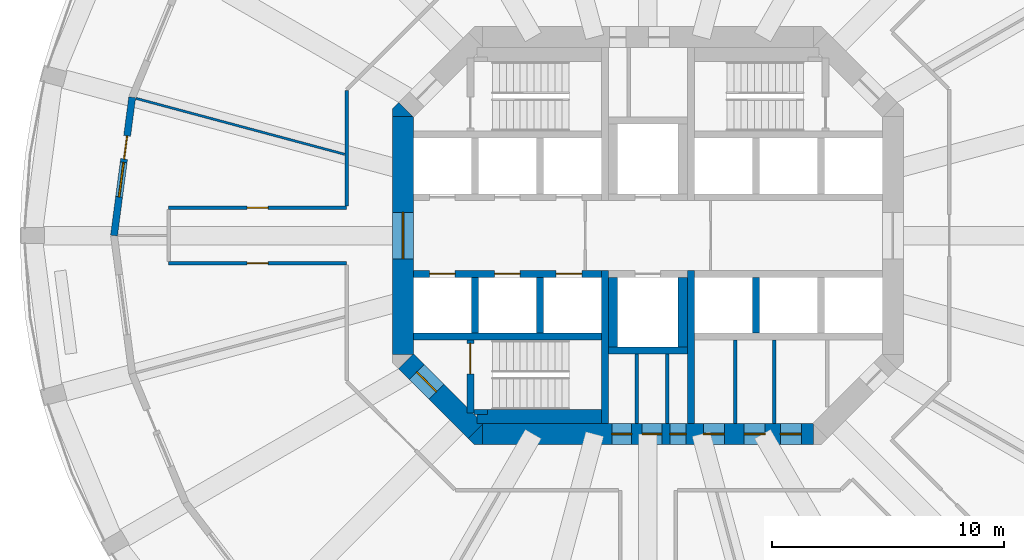
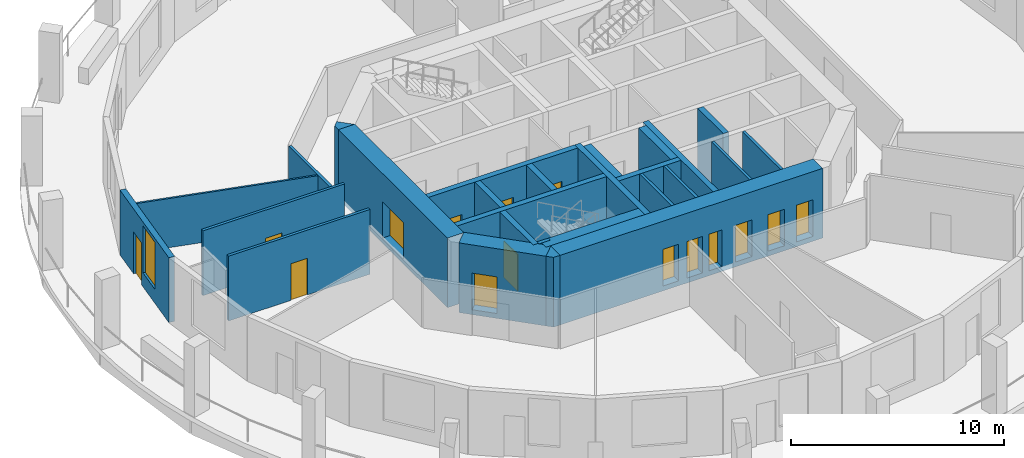
# One storey, part 3 of 9: 27 walls, 15 doors, 1 window, 16 openings.
"""IFC4 building model written with IfcOpenShell, lengths in metres."""

from ifc_helpers import new_model, si_unit, direction, frame, frame_2d, origin, place, context, subcontext, project, spatial, polyline, rectangle, outline, extrude, material, layer, layer_set, type_object, element, fill, save


model = new_model("IFC4")

# Units and contexts
model_context = context("Model", 3, precision=1e-05, world=origin(), true_north=direction((0.0, 1.0)))
body_context = subcontext(model_context, "Body", "Model", "MODEL_VIEW")
ifc_project = project(units=[si_unit("LENGTHUNIT", "METRE"), si_unit("AREAUNIT", "SQUARE_METRE"), si_unit("VOLUMEUNIT", "CUBIC_METRE"), si_unit("PLANEANGLEUNIT", "RADIAN"), si_unit("MASSUNIT", "GRAM", prefix="KILO")], contexts=[model_context])

# Site, building, storey
site_placement = place(None, origin())
site = spatial("IfcSite", under=ifc_project, at=site_placement, CompositionType="ELEMENT")
building_placement = place(site_placement, origin())
building = spatial("IfcBuilding", under=site, at=building_placement, Name="Torre Triforio", CompositionType="ELEMENT")
storey_placement = place(building_placement, frame((0.0, 0.0, 51.0)))
storey = spatial("IfcBuildingStorey", under=building, at=storey_placement, Name="L10", CompositionType="ELEMENT", Elevation=51.0)

# Walls
ifc_material_1 = material(Name="Concrete C60", Category="concrete")
ifc_layer_1 = layer(ifc_material_1, 0.300048828125)
ifc_layer_set_1 = layer_set([ifc_layer_1], Name="Concrete C60")
wall_type_1 = type_object("IfcWallType", Name="Core wall 300 mm C60 EI 120", PredefinedType="SHEAR", material=ifc_layer_set_1)
for number, where, z_axis, x_axis, name in (
    (1, (-1.85009765625, -8.10009765625, 0.0), (0.0, 0.0, 1.0), (0.0, 1.0, 0.0), "Core wall"),
    (2, (1.85009765625, -8.10009765625, 0.0), (0.0, 0.0, 1.0), (0.0, 1.0, 0.0), "Core wall"),
):
    element("IfcWall", number, at=place(storey_placement, frame(where, z_axis=z_axis, x_axis=x_axis)), inside=storey, type_object=wall_type_1, Name=name, PredefinedType="SHEAR", context=body_context, shape_type="SweptSolid", body=[
        extrude(rectangle(XDim=6.60009765625, YDim=0.300048828125, at=frame_2d((3.300048828125, 0.0))), origin(), (0.0, 0.0, 1.0), 3.719970703125),
    ])

# Wall, openings, doors
ifc_layer_2 = layer(ifc_material_1, 0.89990234375)
ifc_layer_set_2 = layer_set([ifc_layer_2], Name="Concrete C60")
wall_type_2 = type_object("IfcWallType", Name="Core wall 900 mm C60 EI 120", PredefinedType="SHEAR", material=ifc_layer_set_2)
wall_1_placement = place(storey_placement, frame((-7.1298828125, -8.550048828125, -0.280029296875), z_axis=(0.0, 0.0, 1.0), x_axis=(1.0, 0.0, 0.0)))
wall_1 = element("IfcWall", 3, at=wall_1_placement, inside=storey, type_object=wall_type_2, Name="Core wall", PredefinedType="SHEAR", context=body_context, shape_type="SweptSolid", body=[
    extrude(rectangle(XDim=14.259765625, YDim=0.89990234375, at=frame_2d((7.1298828125, 0.0))), origin(), (0.0, 0.0, 1.0), 4.0),
])
opening_1_placement = place(wall_1_placement, frame((8.080078125, 0.0, 0.280029296875)))
opening_1 = element("IfcOpeningElement", 4, at=opening_1_placement, cuts=wall_1, Name="Opening RISER-S", PredefinedType="OPENING", context=body_context, shape_type="SweptSolid", body=[
    extrude(rectangle(XDim=0.699951171875, YDim=2.10009765625, at=frame_2d((0.35009765625, 1.050048828125))), frame((0.0, 0.4599609375, 0.0), z_axis=(0.0, -1.0, 0.0), x_axis=(1.0, 0.0, 0.0)), (0.0, 0.0, 1.0), 0.919921875),
])
opening_2_placement = place(wall_1_placement, frame((5.580078125, 0.0, 0.280029296875)))
opening_2 = element("IfcOpeningElement", 5, at=opening_2_placement, cuts=wall_1, Name="Opening SW-01A", PredefinedType="OPENING", context=body_context, shape_type="SweptSolid", body=[
    extrude(rectangle(XDim=0.85009765625, YDim=2.10009765625, at=frame_2d((0.425048828125, 1.050048828125))), frame((0.0, 0.4599609375, 0.0), z_axis=(0.0, -1.0, 0.0), x_axis=(1.0, 0.0, 0.0)), (0.0, 0.0, 1.0), 0.919921875),
])
opening_3_placement = place(wall_1_placement, frame((6.8798828125, 0.0, 0.280029296875)))
opening_3 = element("IfcOpeningElement", 6, at=opening_3_placement, cuts=wall_1, Name="Opening SW-02", PredefinedType="OPENING", context=body_context, shape_type="SweptSolid", body=[
    extrude(rectangle(XDim=0.85009765625, YDim=2.10009765625, at=frame_2d((0.425048828125, 1.050048828125))), frame((0.0, 0.4599609375, 0.0), z_axis=(0.0, -1.0, 0.0), x_axis=(1.0, 0.0, 0.0)), (0.0, 0.0, 1.0), 0.919921875),
])
opening_4_placement = place(wall_1_placement, frame((9.521484375, 0.0, 0.280029296875)))
opening_4 = element("IfcOpeningElement", 7, at=opening_4_placement, cuts=wall_1, Name="Opening SE-01", PredefinedType="OPENING", context=body_context, shape_type="SweptSolid", body=[
    extrude(rectangle(XDim=0.89990234375, YDim=2.10009765625, at=frame_2d((0.449951171875, 1.050048828125))), frame((0.0, 0.4599609375, 0.0), z_axis=(0.0, -1.0, 0.0), x_axis=(1.0, 0.0, 0.0)), (0.0, 0.0, 1.0), 0.919921875),
])
opening_5_placement = place(wall_1_placement, frame((11.278076171875, 0.0, 0.280029296875)))
opening_5 = element("IfcOpeningElement", 8, at=opening_5_placement, cuts=wall_1, Name="Opening SE-02", PredefinedType="OPENING", context=body_context, shape_type="SweptSolid", body=[
    extrude(rectangle(XDim=0.89990234375, YDim=2.10009765625, at=frame_2d((0.449951171875, 1.050048828125))), frame((0.0, 0.4599609375, 0.0), z_axis=(0.0, -1.0, 0.0), x_axis=(1.0, 0.0, 0.0)), (0.0, 0.0, 1.0), 0.919921875),
])
opening_6_placement = place(wall_1_placement, frame((12.840087890625, 0.0, 0.280029296875)))
opening_6 = element("IfcOpeningElement", 9, at=opening_6_placement, cuts=wall_1, Name="Opening SE-03", PredefinedType="OPENING", context=body_context, shape_type="SweptSolid", body=[
    extrude(rectangle(XDim=0.89990234375, YDim=2.10009765625, at=frame_2d((0.449951171875, 1.050048828125))), frame((0.0, 0.4599609375, 0.0), z_axis=(0.0, -1.0, 0.0), x_axis=(1.0, 0.0, 0.0)), (0.0, 0.0, 1.0), 0.919921875),
])
ifc_material_2 = material(Name="Hollow metal fire door leaf")
door_type_1 = type_object("IfcDoorType", Name="Plant room door 900 x 2100 EI 60", OperationType="NOTDEFINED", PredefinedType="DOOR", material=ifc_material_2)
door_1_placement = place(opening_4_placement, origin())
door_1 = element("IfcDoor", 10, at=door_1_placement, inside=storey, type_object=door_type_1, Name="Core door SE-01", OperationType="SINGLE_SWING_LEFT", OverallHeight=2.10009765625, OverallWidth=0.89990234375, PredefinedType="DOOR", context=body_context, shape_type="SweptSolid", body=[
    extrude(rectangle(XDim=0.89990234375, YDim=2.10009765625, at=frame_2d((0.449951171875, 1.050048828125))), frame((0.0, 0.02490234375, 0.0), z_axis=(0.0, -1.0, 0.0), x_axis=(1.0, 0.0, 0.0)), (0.0, 0.0, 1.0), 0.050048828125),
])
fill(opening_4, door_1)
door_type_2 = type_object("IfcDoorType", Name="Riser door 700 x 2100 EI 60", OperationType="NOTDEFINED", PredefinedType="DOOR", material=ifc_material_2)
door_2_placement = place(opening_1_placement, origin())
door_2 = element("IfcDoor", 11, at=door_2_placement, inside=storey, type_object=door_type_2, Name="Core door RISER-S", OperationType="SINGLE_SWING_RIGHT", OverallHeight=2.10009765625, OverallWidth=0.699951171875, PredefinedType="DOOR", context=body_context, shape_type="SweptSolid", body=[
    extrude(rectangle(XDim=0.699951171875, YDim=2.10009765625, at=frame_2d((0.35009765625, 1.050048828125))), frame((0.0, 0.02490234375, 0.0), z_axis=(0.0, -1.0, 0.0), x_axis=(1.0, 0.0, 0.0)), (0.0, 0.0, 1.0), 0.050048828125),
])
fill(opening_1, door_2)
door_type_3 = type_object("IfcDoorType", Name="Room door 850 x 2100 EI 60", OperationType="NOTDEFINED", PredefinedType="DOOR", material=ifc_material_2)
door_3_placement = place(opening_2_placement, origin())
door_3 = element("IfcDoor", 12, at=door_3_placement, inside=storey, type_object=door_type_3, Name="Core door SW-01", OperationType="SINGLE_SWING_RIGHT", OverallHeight=2.10009765625, OverallWidth=0.85009765625, PredefinedType="DOOR", context=body_context, shape_type="SweptSolid", body=[
    extrude(rectangle(XDim=0.85009765625, YDim=2.10009765625, at=frame_2d((0.425048828125, 1.050048828125))), frame((0.0, 0.02490234375, 0.0), z_axis=(0.0, -1.0, 0.0), x_axis=(1.0, 0.0, 0.0)), (0.0, 0.0, 1.0), 0.050048828125),
])
fill(opening_2, door_3)
door_4_placement = place(opening_3_placement, origin())
door_4 = element("IfcDoor", 13, at=door_4_placement, inside=storey, type_object=door_type_3, Name="Core door SW-02", OperationType="SINGLE_SWING_LEFT", OverallHeight=2.10009765625, OverallWidth=0.85009765625, PredefinedType="DOOR", context=body_context, shape_type="SweptSolid", body=[
    extrude(rectangle(XDim=0.85009765625, YDim=2.10009765625, at=frame_2d((0.425048828125, 1.050048828125))), frame((0.0, 0.02490234375, 0.0), z_axis=(0.0, -1.0, 0.0), x_axis=(1.0, 0.0, 0.0)), (0.0, 0.0, 1.0), 0.050048828125),
])
fill(opening_3, door_4)
door_type_4 = type_object("IfcDoorType", Name="Room door 900 x 2100 EI 60", OperationType="NOTDEFINED", PredefinedType="DOOR", material=ifc_material_2)
door_5_placement = place(opening_5_placement, origin())
door_5 = element("IfcDoor", 14, at=door_5_placement, inside=storey, type_object=door_type_4, Name="Core door SE-02", OperationType="SINGLE_SWING_LEFT", OverallHeight=2.10009765625, OverallWidth=0.89990234375, PredefinedType="DOOR", context=body_context, shape_type="SweptSolid", body=[
    extrude(rectangle(XDim=0.89990234375, YDim=2.10009765625, at=frame_2d((0.449951171875, 1.050048828125))), frame((0.0, 0.02490234375, 0.0), z_axis=(0.0, -1.0, 0.0), x_axis=(1.0, 0.0, 0.0)), (0.0, 0.0, 1.0), 0.050048828125),
])
fill(opening_5, door_5)
door_6_placement = place(opening_6_placement, origin())
door_6 = element("IfcDoor", 15, at=door_6_placement, inside=storey, type_object=door_type_4, Name="Core door SE-03", OperationType="SINGLE_SWING_LEFT", OverallHeight=2.10009765625, OverallWidth=0.89990234375, PredefinedType="DOOR", context=body_context, shape_type="SweptSolid", body=[
    extrude(rectangle(XDim=0.89990234375, YDim=2.10009765625, at=frame_2d((0.449951171875, 1.050048828125))), frame((0.0, 0.02490234375, 0.0), z_axis=(0.0, -1.0, 0.0), x_axis=(1.0, 0.0, 0.0)), (0.0, 0.0, 1.0), 0.050048828125),
])
fill(opening_6, door_6)

# Wall, opening, door
wall_2_placement = place(storey_placement, frame((-10.550048828125, -5.1298828125, -0.280029296875), z_axis=(0.0, 0.0, 1.0), x_axis=(0.0, 1.0, 0.0)))
wall_2 = element("IfcWall", 16, at=wall_2_placement, inside=storey, type_object=wall_type_2, Name="Core wall", PredefinedType="SHEAR", context=body_context, shape_type="SweptSolid", body=[
    extrude(rectangle(XDim=10.259765625, YDim=0.89990234375, at=frame_2d((5.1298828125, 0.0))), origin(), (0.0, 0.0, 1.0), 4.0),
])
opening_7_placement = place(wall_2_placement, frame((4.1298828125, 0.0, 0.280029296875)))
opening_7 = element("IfcOpeningElement", 17, at=opening_7_placement, cuts=wall_2, Name="Opening W-RING", PredefinedType="OPENING", context=body_context, shape_type="SweptSolid", body=[
    extrude(rectangle(XDim=2.0, YDim=2.10009765625, at=frame_2d((1.0, 1.050048828125))), frame((0.0, 0.4599609375, 0.0), z_axis=(0.0, -1.0, 0.0), x_axis=(1.0, 0.0, 0.0)), (0.0, 0.0, 1.0), 0.919921875),
])
door_type_5 = type_object("IfcDoorType", Name="Lobby door 2000 x 2100 EI 60", OperationType="DOUBLE_DOOR_SINGLE_SWING", PredefinedType="DOOR", material=ifc_material_2)
door_7_placement = place(opening_7_placement, origin())
door_7 = element("IfcDoor", 18, at=door_7_placement, inside=storey, type_object=door_type_5, Name="Core door W-RING", OperationType="DOUBLE_DOOR_SINGLE_SWING", OverallHeight=2.10009765625, OverallWidth=2.0, PredefinedType="DOOR", context=body_context, shape_type="SweptSolid", body=[
    extrude(rectangle(XDim=2.0, YDim=2.10009765625, at=frame_2d((1.0, 1.050048828125))), frame((0.0, 0.02490234375, 0.0), z_axis=(0.0, -1.0, 0.0), x_axis=(1.0, 0.0, 0.0)), (0.0, 0.0, 1.0), 0.050048828125),
])
fill(opening_7, door_7)

wall_3_placement = place(storey_placement, frame((-7.418212890625, -8.418212890625, -0.280029296875), z_axis=(0.0, 0.0, 1.0), x_axis=(-0.707106781187, 0.707106781187, 0.0)))
wall_3 = element("IfcWall", 19, at=wall_3_placement, inside=storey, type_object=wall_type_2, Name="Core wall", PredefinedType="SHEAR", context=body_context, shape_type="SweptSolid", body=[
    extrude(rectangle(XDim=4.24267578125, YDim=0.89990234375, at=frame_2d((2.121337890625, 0.0))), origin(), (0.0, 0.0, 1.0), 4.0),
])
opening_8_placement = place(wall_3_placement, frame((2.392578125, 0.0, 0.280029296875)))
opening_8 = element("IfcOpeningElement", 20, at=opening_8_placement, cuts=wall_3, Name="Opening ST3-EXIT", PredefinedType="OPENING", context=body_context, shape_type="SweptSolid", body=[
    extrude(rectangle(XDim=1.199951171875, YDim=2.10009765625, at=frame_2d((0.60009765625, 1.050048828125))), frame((0.0, 0.4599609375, 0.0), z_axis=(0.0, -1.0, 0.0), x_axis=(1.0, 0.0, 0.0)), (0.0, 0.0, 1.0), 0.919921875),
])
door_type_6 = type_object("IfcDoorType", Name="Stair lobby door 1200 x 2100 EI 60", OperationType="NOTDEFINED", PredefinedType="DOOR", material=ifc_material_2)
door_8_placement = place(opening_8_placement, origin())
door_8 = element("IfcDoor", 21, at=door_8_placement, inside=storey, type_object=door_type_6, Name="Core door ST3-EXIT", OperationType="SINGLE_SWING_RIGHT", OverallHeight=2.10009765625, OverallWidth=1.199951171875, PredefinedType="DOOR", context=body_context, shape_type="SweptSolid", body=[
    extrude(rectangle(XDim=1.199951171875, YDim=2.10009765625, at=frame_2d((0.60009765625, 1.050048828125))), frame((0.0, 0.02490234375, 0.0), z_axis=(0.0, -1.0, 0.0), x_axis=(1.0, 0.0, 0.0)), (0.0, 0.0, 1.0), 0.050048828125),
])
fill(opening_8, door_8)

# Walls
wall_4_placement = place(storey_placement, frame((0.0, 0.0, -0.280029296875)))
element("IfcWall", 22, at=wall_4_placement, inside=storey, type_object=wall_type_2, Name="Core wall", PredefinedType="SHEAR", context=body_context, shape_type="SweptSolid", body=[
    extrude(outline(polyline([(-7.472900390625, -9.0), (-7.736328125, -8.736328125), (-7.1298828125, -8.1298828125), (-7.1298828125, -9.0), (-7.472900390625, -9.0)])), origin(), (0.0, 0.0, 1.0), 4.0),
])
wall_5_placement = place(storey_placement, frame((0.0, 0.0, -0.280029296875)))
element("IfcWall", 23, at=wall_5_placement, inside=storey, type_object=wall_type_2, Name="Core wall", PredefinedType="SHEAR", context=body_context, shape_type="SweptSolid", body=[
    extrude(outline(polyline([(-10.736328125, 5.736328125), (-10.1298828125, 5.1298828125), (-11.0, 5.1298828125), (-11.0, 5.472900390625), (-10.736328125, 5.736328125)])), origin(), (0.0, 0.0, 1.0), 4.0),
])

# Wall, opening, door
ifc_material_3 = material(Name="Plasterboard on metal studs")
ifc_layer_3 = layer(ifc_material_3, 0.14990234375)
ifc_layer_set_3 = layer_set([ifc_layer_3], Name="Plasterboard on metal studs")
wall_type_3 = type_object("IfcWallType", Name="Corridor and tenancy wall 150 mm EI 60", PredefinedType="PARTITIONING", material=ifc_layer_set_3)
wall_6_placement = place(storey_placement, frame((-12.97509765625, -1.199951171875, 0.0), z_axis=(0.0, 0.0, 1.0), x_axis=(-1.0, 0.0, 0.0)))
wall_6 = element("IfcWall", 24, at=wall_6_placement, inside=storey, type_object=wall_type_3, Name="Partition 11", PredefinedType="PARTITIONING", context=body_context, shape_type="SweptSolid", body=[
    extrude(rectangle(XDim=7.673583984375, YDim=0.14990234375, at=frame_2d((3.8369140625, 0.0))), origin(), (0.0, 0.0, 1.0), 3.719970703125),
])
opening_9_placement = place(wall_6_placement, frame((3.386962890625, 0.0, 0.0)))
opening_9 = element("IfcOpeningElement", 25, at=opening_9_placement, cuts=wall_6, Name="Opening N3-03", PredefinedType="OPENING", context=body_context, shape_type="SweptSolid", body=[
    extrude(rectangle(XDim=0.89990234375, YDim=2.10009765625, at=frame_2d((0.449951171875, 1.050048828125))), frame((0.0, 0.0849609375, 0.0), z_axis=(0.0, -1.0, 0.0), x_axis=(1.0, 0.0, 0.0)), (0.0, 0.0, 1.0), 0.169921875),
])
ifc_material_4 = material(Name="Timber", Category="wood")
door_type_7 = type_object("IfcDoorType", Name="Door 900 x 2100 single leaf EI 30", OperationType="NOTDEFINED", PredefinedType="DOOR", material=ifc_material_4)
door_9_placement = place(opening_9_placement, origin())
door_9 = element("IfcDoor", 26, at=door_9_placement, inside=storey, type_object=door_type_7, Name="Door N3-03", OperationType="SINGLE_SWING_RIGHT", OverallHeight=2.10009765625, OverallWidth=0.89990234375, PredefinedType="DOOR", context=body_context, shape_type="SweptSolid", body=[
    extrude(rectangle(XDim=0.89990234375, YDim=2.10009765625, at=frame_2d((0.449951171875, 1.050048828125))), frame((0.0, 0.02490234375, 0.0), z_axis=(0.0, -1.0, 0.0), x_axis=(1.0, 0.0, 0.0)), (0.0, 0.0, 1.0), 0.050048828125),
])
fill(opening_9, door_9)

wall_7_placement = place(storey_placement, frame((-20.648681640625, 1.199951171875, 0.0), z_axis=(0.0, 0.0, 1.0), x_axis=(1.0, 0.0, 0.0)))
wall_7 = element("IfcWall", 27, at=wall_7_placement, inside=storey, type_object=wall_type_3, Name="Partition 13", PredefinedType="PARTITIONING", context=body_context, shape_type="SweptSolid", body=[
    extrude(rectangle(XDim=7.673583984375, YDim=0.14990234375, at=frame_2d((3.8369140625, 0.0))), origin(), (0.0, 0.0, 1.0), 3.719970703125),
])
opening_10_placement = place(wall_7_placement, frame((3.386962890625, 0.0, 0.0)))
opening_10 = element("IfcOpeningElement", 28, at=opening_10_placement, cuts=wall_7, Name="Opening N3-02", PredefinedType="OPENING", context=body_context, shape_type="SweptSolid", body=[
    extrude(rectangle(XDim=0.89990234375, YDim=2.10009765625, at=frame_2d((0.449951171875, 1.050048828125))), frame((0.0, 0.0849609375, 0.0), z_axis=(0.0, -1.0, 0.0), x_axis=(1.0, 0.0, 0.0)), (0.0, 0.0, 1.0), 0.169921875),
])
door_10_placement = place(opening_10_placement, origin())
door_10 = element("IfcDoor", 29, at=door_10_placement, inside=storey, type_object=door_type_7, Name="Door N3-02", OperationType="SINGLE_SWING_RIGHT", OverallHeight=2.10009765625, OverallWidth=0.89990234375, PredefinedType="DOOR", context=body_context, shape_type="SweptSolid", body=[
    extrude(rectangle(XDim=0.89990234375, YDim=2.10009765625, at=frame_2d((0.449951171875, 1.050048828125))), frame((0.0, 0.02490234375, 0.0), z_axis=(0.0, -1.0, 0.0), x_axis=(1.0, 0.0, 0.0)), (0.0, 0.0, 1.0), 0.050048828125),
])
fill(opening_10, door_10)

# Walls
wall_8_placement = place(storey_placement, frame((-12.97509765625, 1.27490234375, 0.0), z_axis=(0.0, 0.0, 1.0), x_axis=(0.0, 1.0, 0.0)))
element("IfcWall", 30, at=wall_8_placement, inside=storey, type_object=wall_type_3, Name="Partition 14", PredefinedType="PARTITIONING", context=body_context, shape_type="SweptSolid", body=[
    extrude(rectangle(XDim=4.96337890625, YDim=0.14990234375, at=frame_2d((2.481689453125, 0.0))), origin(), (0.0, 0.0, 1.0), 2.820068359375),
])
ifc_layer_4 = layer(ifc_material_3, 0.10009765625)
ifc_layer_set_4 = layer_set([ifc_layer_4], Name="Plasterboard on metal studs")
wall_type_4 = type_object("IfcWallType", Name="Partition 100 mm board on metal studs", PredefinedType="PARTITIONING", material=ifc_layer_set_4)
wall_9_placement = place(storey_placement, frame((-13.064208984375, 3.50048828125, 0.0), z_axis=(0.0, 0.0, 1.0), x_axis=(-0.965922655056, 0.258830880017, 0.0)))
element("IfcWall", 31, at=wall_9_placement, inside=storey, type_object=wall_type_4, Name="Partition 36", PredefinedType="PARTITIONING", context=body_context, shape_type="SweptSolid", body=[
    extrude(rectangle(XDim=9.311767578125, YDim=0.10009765625, at=frame_2d((4.65576171875, 0.0))), origin(), (0.0, 0.0, 1.0), 2.820068359375),
])
ifc_material_5 = material(Name="Block and board partition")
ifc_layer_5 = layer(ifc_material_5, 0.14990234375)
ifc_layer_set_5 = layer_set([ifc_layer_5], Name="Block and board partition")
wall_type_5 = type_object("IfcWallType", Name="Partition 150 mm", PredefinedType="PARTITIONING", material=ifc_layer_set_5)
wall_10_placement = place(storey_placement, frame((-0.47509765625, -8.10009765625, 0.0), z_axis=(0.0, 0.0, 1.0), x_axis=(0.0, 1.0, 0.0)))
element("IfcWall", 32, at=wall_10_placement, inside=storey, type_object=wall_type_5, Name="Partition", PredefinedType="PARTITIONING", context=body_context, shape_type="SweptSolid", body=[
    extrude(rectangle(XDim=3.0, YDim=0.14990234375, at=frame_2d((1.5, 0.0))), origin(), (0.0, 0.0, 1.0), 3.719970703125),
])
for number, where, z_axis, x_axis, name in (
    (33, (3.758056640625, -8.10009765625, 0.0), (0.0, 0.0, 1.0), (0.0, 1.0, 0.0), "Partition"),
    (34, (5.43798828125, -8.10009765625, 0.0), (0.0, 0.0, 1.0), (0.0, 1.0, 0.0), "Partition"),
):
    element("IfcWall", number, at=place(storey_placement, frame(where, z_axis=z_axis, x_axis=x_axis)), inside=storey, type_object=wall_type_5, Name=name, PredefinedType="PARTITIONING", context=body_context, shape_type="SweptSolid", body=[
        extrude(rectangle(XDim=3.60009765625, YDim=0.14990234375, at=frame_2d((1.800048828125, 0.0))), origin(), (0.0, 0.0, 1.0), 3.719970703125),
    ])
ifc_layer_6 = layer(ifc_material_5, 0.14990234375)
ifc_layer_set_6 = layer_set([ifc_layer_6], Name="Block and board partition")
wall_type_6 = type_object("IfcWallType", Name="Partition 150 mm EI 120", PredefinedType="PARTITIONING", material=ifc_layer_set_6)
wall_11_placement = place(storey_placement, frame((0.824951171875, -8.10009765625, 0.0), z_axis=(0.0, 0.0, 1.0), x_axis=(0.0, 1.0, 0.0)))
element("IfcWall", 35, at=wall_11_placement, inside=storey, type_object=wall_type_6, Name="Partition", PredefinedType="PARTITIONING", context=body_context, shape_type="SweptSolid", body=[
    extrude(rectangle(XDim=3.0, YDim=0.14990234375, at=frame_2d((1.5, 0.0))), origin(), (0.0, 0.0, 1.0), 3.719970703125),
])
ifc_layer_7 = layer(ifc_material_1, 0.300048828125)
ifc_layer_set_7 = layer_set([ifc_layer_7], Name="Concrete C60")
wall_type_7 = type_object("IfcWallType", Name="Shaft wall 300 mm C60 EI 120", PredefinedType="SOLIDWALL", material=ifc_layer_set_7)
wall_12_placement = place(storey_placement, frame((-10.10009765625, -4.35009765625, 0.0), z_axis=(0.0, 0.0, 1.0), x_axis=(1.0, 0.0, 0.0)))
element("IfcWall", 36, at=wall_12_placement, inside=storey, type_object=wall_type_7, Name="Shaft wall", PredefinedType="SOLIDWALL", context=body_context, shape_type="SweptSolid", body=[
    extrude(rectangle(XDim=8.10009765625, YDim=0.300048828125, at=frame_2d((4.050048828125, 0.0))), origin(), (0.0, 0.0, 1.0), 3.719970703125),
])

# Wall, openings, doors
wall_13_placement = place(storey_placement, frame((-10.10009765625, -1.64990234375, 0.0), z_axis=(0.0, 0.0, 1.0), x_axis=(1.0, 0.0, 0.0)))
wall_13 = element("IfcWall", 37, at=wall_13_placement, inside=storey, type_object=wall_type_7, Name="Shaft wall", PredefinedType="SOLIDWALL", context=body_context, shape_type="SweptSolid", body=[
    extrude(rectangle(XDim=8.10009765625, YDim=0.300048828125, at=frame_2d((4.050048828125, 0.0))), origin(), (0.0, 0.0, 1.0), 3.719970703125),
])
opening_11_placement = place(wall_13_placement, frame((0.699951171875, 0.0, 0.0)))
opening_11 = element("IfcOpeningElement", 38, at=opening_11_placement, cuts=wall_13, Name="Opening LD", PredefinedType="OPENING", context=body_context, shape_type="SweptSolid", body=[
    extrude(rectangle(XDim=1.10009765625, YDim=2.10009765625, at=frame_2d((0.550048828125, 1.050048828125))), frame((0.0, 0.159912109375, 0.0), z_axis=(0.0, -1.0, 0.0), x_axis=(1.0, 0.0, 0.0)), (0.0, 0.0, 1.0), 0.320068359375),
])
opening_12_placement = place(wall_13_placement, frame((3.5, 0.0, 0.0)))
opening_12 = element("IfcOpeningElement", 39, at=opening_12_placement, cuts=wall_13, Name="Opening LD", PredefinedType="OPENING", context=body_context, shape_type="SweptSolid", body=[
    extrude(rectangle(XDim=1.10009765625, YDim=2.10009765625, at=frame_2d((0.550048828125, 1.050048828125))), frame((0.0, 0.159912109375, 0.0), z_axis=(0.0, -1.0, 0.0), x_axis=(1.0, 0.0, 0.0)), (0.0, 0.0, 1.0), 0.320068359375),
])
opening_13_placement = place(wall_13_placement, frame((6.14990234375, 0.0, 0.0)))
opening_13 = element("IfcOpeningElement", 40, at=opening_13_placement, cuts=wall_13, Name="Opening LD", PredefinedType="OPENING", context=body_context, shape_type="SweptSolid", body=[
    extrude(rectangle(XDim=1.10009765625, YDim=2.10009765625, at=frame_2d((0.550048828125, 1.050048828125))), frame((0.0, 0.159912109375, 0.0), z_axis=(0.0, -1.0, 0.0), x_axis=(1.0, 0.0, 0.0)), (0.0, 0.0, 1.0), 0.320068359375),
])
door_type_8 = type_object("IfcDoorType", Name="Landing door 1100 x 2100 EI 60", OperationType="DOUBLE_DOOR_SLIDING", PredefinedType="DOOR", material=ifc_material_2)
door_11_placement = place(opening_11_placement, origin())
door_11 = element("IfcDoor", 41, at=door_11_placement, inside=storey, type_object=door_type_8, Name="Landing door LR4", OperationType="DOUBLE_DOOR_SLIDING", OverallHeight=2.10009765625, OverallWidth=1.10009765625, PredefinedType="DOOR", context=body_context, shape_type="SweptSolid", body=[
    extrude(rectangle(XDim=1.10009765625, YDim=2.10009765625, at=frame_2d((0.550048828125, 1.050048828125))), frame((0.0, 0.02490234375, 0.0), z_axis=(0.0, -1.0, 0.0), x_axis=(1.0, 0.0, 0.0)), (0.0, 0.0, 1.0), 0.050048828125),
])
fill(opening_11, door_11)
door_12_placement = place(opening_12_placement, origin())
door_12 = element("IfcDoor", 42, at=door_12_placement, inside=storey, type_object=door_type_8, Name="Landing door LR5", OperationType="DOUBLE_DOOR_SLIDING", OverallHeight=2.10009765625, OverallWidth=1.10009765625, PredefinedType="DOOR", context=body_context, shape_type="SweptSolid", body=[
    extrude(rectangle(XDim=1.10009765625, YDim=2.10009765625, at=frame_2d((0.550048828125, 1.050048828125))), frame((0.0, 0.02490234375, 0.0), z_axis=(0.0, -1.0, 0.0), x_axis=(1.0, 0.0, 0.0)), (0.0, 0.0, 1.0), 0.050048828125),
])
fill(opening_12, door_12)
door_13_placement = place(opening_13_placement, origin())
door_13 = element("IfcDoor", 43, at=door_13_placement, inside=storey, type_object=door_type_8, Name="Landing door LR6", OperationType="DOUBLE_DOOR_SLIDING", OverallHeight=2.10009765625, OverallWidth=1.10009765625, PredefinedType="DOOR", context=body_context, shape_type="SweptSolid", body=[
    extrude(rectangle(XDim=1.10009765625, YDim=2.10009765625, at=frame_2d((0.550048828125, 1.050048828125))), frame((0.0, 0.02490234375, 0.0), z_axis=(0.0, -1.0, 0.0), x_axis=(1.0, 0.0, 0.0)), (0.0, 0.0, 1.0), 0.050048828125),
])
fill(opening_13, door_13)

# Walls
for number, where, z_axis, x_axis, name in (
    (44, (-7.449951171875, -4.199951171875, 0.0), (0.0, 0.0, 1.0), (0.0, 1.0, 0.0), "Shaft wall"),
    (45, (-4.64990234375, -4.199951171875, 0.0), (0.0, 0.0, 1.0), (0.0, 1.0, 0.0), "Shaft wall"),
    (46, (4.64990234375, -4.199951171875, 0.0), (0.0, 0.0, 1.0), (0.0, 1.0, 0.0), "Shaft wall"),
):
    element("IfcWall", number, at=place(storey_placement, frame(where, z_axis=z_axis, x_axis=x_axis)), inside=storey, type_object=wall_type_7, Name=name, PredefinedType="SOLIDWALL", context=body_context, shape_type="SweptSolid", body=[
        extrude(rectangle(XDim=2.39990234375, YDim=0.300048828125, at=frame_2d((1.199951171875, 0.0))), origin(), (0.0, 0.0, 1.0), 3.719970703125),
    ])
wall_14_placement = place(storey_placement, frame((-1.699951171875, -4.949951171875, 0.0), z_axis=(0.0, 0.0, 1.0), x_axis=(1.0, 0.0, 0.0)))
element("IfcWall", 47, at=wall_14_placement, inside=storey, type_object=wall_type_7, Name="Shaft wall", PredefinedType="SOLIDWALL", context=body_context, shape_type="SweptSolid", body=[
    extrude(rectangle(XDim=3.39990234375, YDim=0.300048828125, at=frame_2d((1.699951171875, 0.0))), origin(), (0.0, 0.0, 1.0), 3.719970703125),
])
ifc_layer_8 = layer(ifc_material_1, 0.39990234375)
ifc_layer_set_8 = layer_set([ifc_layer_8], Name="Concrete C60")
wall_type_8 = type_object("IfcWallType", Name="Shaft wall 400 mm C60 EI 120", PredefinedType="SOLIDWALL", material=ifc_layer_set_8)
for number, where, z_axis, x_axis, name in (
    (48, (-1.5, -4.800048828125, 0.0), (0.0, 0.0, 1.0), (0.0, 1.0, 0.0), "Shaft wall"),
    (49, (1.5, -4.800048828125, 0.0), (0.0, 0.0, 1.0), (0.0, 1.0, 0.0), "Shaft wall"),
):
    element("IfcWall", number, at=place(storey_placement, frame(where, z_axis=z_axis, x_axis=x_axis)), inside=storey, type_object=wall_type_8, Name=name, PredefinedType="SOLIDWALL", context=body_context, shape_type="SweptSolid", body=[
        extrude(rectangle(XDim=3.0, YDim=0.39990234375, at=frame_2d((1.5, 0.0))), origin(), (0.0, 0.0, 1.0), 3.719970703125),
    ])
ifc_layer_9 = layer(ifc_material_1, 0.199951171875)
ifc_layer_set_9 = layer_set([ifc_layer_9], Name="Concrete C60")
wall_type_9 = type_object("IfcWallType", Name="Stair wall 200 mm C60 EI 120", PredefinedType="SHEAR", material=ifc_layer_set_9)
wall_15_placement = place(storey_placement, frame((-7.5, -7.60009765625, 0.0), z_axis=(0.0, 0.0, 1.0), x_axis=(1.0, 0.0, 0.0)))
element("IfcWall", 50, at=wall_15_placement, inside=storey, type_object=wall_type_9, Name="Stair wall", PredefinedType="SHEAR", context=body_context, shape_type="SweptSolid", body=[
    extrude(rectangle(XDim=0.60009765625, YDim=0.199951171875, at=frame_2d((0.300048828125, 0.0))), origin(), (0.0, 0.0, 1.0), 3.719970703125),
])

# Wall, opening, door
ifc_layer_10 = layer(ifc_material_1, 0.300048828125)
ifc_layer_set_10 = layer_set([ifc_layer_10], Name="Concrete C60")
wall_type_10 = type_object("IfcWallType", Name="Stair wall 300 mm C60 EI 120", PredefinedType="SHEAR", material=ifc_layer_set_10)
wall_16_placement = place(storey_placement, frame((-7.64990234375, -7.639892578125, 0.0), z_axis=(0.0, 0.0, 1.0), x_axis=(0.0, 1.0, 0.0)))
wall_16 = element("IfcWall", 51, at=wall_16_placement, inside=storey, type_object=wall_type_10, Name="Stair wall", PredefinedType="SHEAR", context=body_context, shape_type="SweptSolid", body=[
    extrude(rectangle(XDim=3.139892578125, YDim=0.300048828125, at=frame_2d((1.56982421875, 0.0))), origin(), (0.0, 0.0, 1.0), 3.719970703125),
])
opening_14_placement = place(wall_16_placement, frame((1.679931640625, 0.0, 0.0)))
opening_14 = element("IfcOpeningElement", 52, at=opening_14_placement, cuts=wall_16, Name="Opening ST3-STA", PredefinedType="OPENING", context=body_context, shape_type="SweptSolid", body=[
    extrude(rectangle(XDim=1.320068359375, YDim=2.10009765625, at=frame_2d((0.66015625, 1.050048828125))), frame((0.0, 0.159912109375, 0.0), z_axis=(0.0, -1.0, 0.0), x_axis=(1.0, 0.0, 0.0)), (0.0, 0.0, 1.0), 0.320068359375),
])
door_type_9 = type_object("IfcDoorType", Name="Stair door 1320 x 2100 EI 90", OperationType="DOUBLE_DOOR_SINGLE_SWING", PredefinedType="DOOR", material=ifc_material_2)
door_14_placement = place(opening_14_placement, origin())
door_14 = element("IfcDoor", 53, at=door_14_placement, inside=storey, type_object=door_type_9, Name="Core door ST3-ST", OperationType="DOUBLE_DOOR_SINGLE_SWING", OverallHeight=2.10009765625, OverallWidth=1.320068359375, PredefinedType="DOOR", context=body_context, shape_type="SweptSolid", body=[
    extrude(rectangle(XDim=1.320068359375, YDim=2.10009765625, at=frame_2d((0.66015625, 1.050048828125))), frame((0.0, 0.02490234375, 0.0), z_axis=(0.0, -1.0, 0.0), x_axis=(1.0, 0.0, 0.0)), (0.0, 0.0, 1.0), 0.050048828125),
])
fill(opening_14, door_14)

# Wall
ifc_layer_11 = layer(ifc_material_1, 0.60009765625)
ifc_layer_set_11 = layer_set([ifc_layer_11], Name="Concrete C60")
wall_type_11 = type_object("IfcWallType", Name="Stair wall 600 mm C60 EI 120", PredefinedType="SHEAR", material=ifc_layer_set_11)
wall_17_placement = place(storey_placement, frame((-7.3701171875, -7.800048828125, 0.0), z_axis=(0.0, 0.0, 1.0), x_axis=(1.0, 0.0, 0.0)))
element("IfcWall", 54, at=wall_17_placement, inside=storey, type_object=wall_type_11, Name="Stair wall", PredefinedType="SHEAR", context=body_context, shape_type="SweptSolid", body=[
    extrude(rectangle(XDim=5.3701171875, YDim=0.60009765625, at=frame_2d((2.68505859375, 0.0))), origin(), (0.0, 0.0, 1.0), 3.719970703125),
])

# Wall, openings, door, window
ifc_material_6 = material(Name="Limestone cladding", Category="masonry")
ifc_layer_12 = layer(ifc_material_6, 0.10009765625)
ifc_material_7 = material(Name="Concrete C40", Category="concrete")
ifc_layer_13 = layer(ifc_material_7, 0.199951171875)
ifc_layer_set_12 = layer_set([ifc_layer_12, ifc_layer_13], Name="Limestone cladding / Concrete C40")
wall_type_12 = type_object("IfcWallType", Name="Stone-faced composite wall 300", PredefinedType="STANDARD", material=ifc_layer_set_12)
wall_18_placement = place(storey_placement, frame((-22.21630859375, 5.952880859375, 0.0), z_axis=(0.0, 0.0, 1.0), x_axis=(-0.130522880875, -0.991445297315, 0.0)))
wall_18 = element("IfcWall", 55, at=wall_18_placement, inside=storey, type_object=wall_type_12, Name="External wall L10 bay 12", PredefinedType="STANDARD", context=body_context, shape_type="SweptSolid", body=[
    extrude(rectangle(XDim=6.004150390625, YDim=0.300048828125, at=frame_2d((3.001953125, 0.0))), origin(), (0.0, 0.0, 1.0), 3.719970703125),
])
opening_15_placement = place(wall_18_placement, frame((1.677001953125, 0.0, 0.0)))
opening_15 = element("IfcOpeningElement", 56, at=opening_15_placement, cuts=wall_18, Name="Opening N3-D12", PredefinedType="OPENING", context=body_context, shape_type="SweptSolid", body=[
    extrude(rectangle(XDim=1.0, YDim=2.39990234375, at=frame_2d((0.5, 1.199951171875))), frame((0.0, 0.159912109375, 0.0), z_axis=(0.0, -1.0, 0.0), x_axis=(1.0, 0.0, 0.0)), (0.0, 0.0, 1.0), 0.320068359375),
])
opening_16_placement = place(wall_18_placement, frame((2.8271484375, 0.0, 0.800048828125)))
opening_16 = element("IfcOpeningElement", 57, at=opening_16_placement, cuts=wall_18, Name="Opening N3-W12A", PredefinedType="OPENING", context=body_context, shape_type="SweptSolid", body=[
    extrude(rectangle(XDim=1.5, YDim=2.699951171875, at=frame_2d((0.75, 1.35009765625))), frame((0.0, 0.159912109375, 0.0), z_axis=(0.0, -1.0, 0.0), x_axis=(1.0, 0.0, 0.0)), (0.0, 0.0, 1.0), 0.320068359375),
])
ifc_material_8 = material(Name="Aluminium frame with clear double glazing", Category="aluminium")
door_type_10 = type_object("IfcDoorType", Name="Loggia door 1000 x 2400", OperationType="NOTDEFINED", PredefinedType="DOOR", material=ifc_material_8)
door_15_placement = place(opening_15_placement, origin())
door_15 = element("IfcDoor", 58, at=door_15_placement, inside=storey, type_object=door_type_10, Name="Loggia door L10 bay 12", OperationType="SINGLE_SWING_LEFT", OverallHeight=2.39990234375, OverallWidth=1.0, PredefinedType="DOOR", context=body_context, shape_type="SweptSolid", body=[
    extrude(rectangle(XDim=1.0, YDim=2.39990234375, at=frame_2d((0.5, 1.199951171875))), frame((0.0, 0.02490234375, 0.0), z_axis=(0.0, -1.0, 0.0), x_axis=(1.0, 0.0, 0.0)), (0.0, 0.0, 1.0), 0.050048828125),
])
fill(opening_15, door_15)
window_type = type_object("IfcWindowType", Name="Side window 1500 x 2700", PartitioningType="SINGLE_PANEL", PredefinedType="WINDOW", material=ifc_material_8)
window_placement = place(opening_16_placement, origin())
window = element("IfcWindow", 59, at=window_placement, inside=storey, type_object=window_type, Name="Side window EWN12 L10 bay 12", OverallHeight=2.699951171875, OverallWidth=1.5, PartitioningType="SINGLE_PANEL", PredefinedType="WINDOW", context=body_context, shape_type="SweptSolid", body=[
    extrude(rectangle(XDim=1.5, YDim=2.699951171875, at=frame_2d((0.75, 1.35009765625))), frame((0.0, 0.030029296875, 0.0), z_axis=(0.0, -1.0, 0.0), x_axis=(1.0, 0.0, 0.0)), (0.0, 0.0, 1.0), 0.06005859375),
])
fill(opening_16, window)

save(model, "model.ifc")
